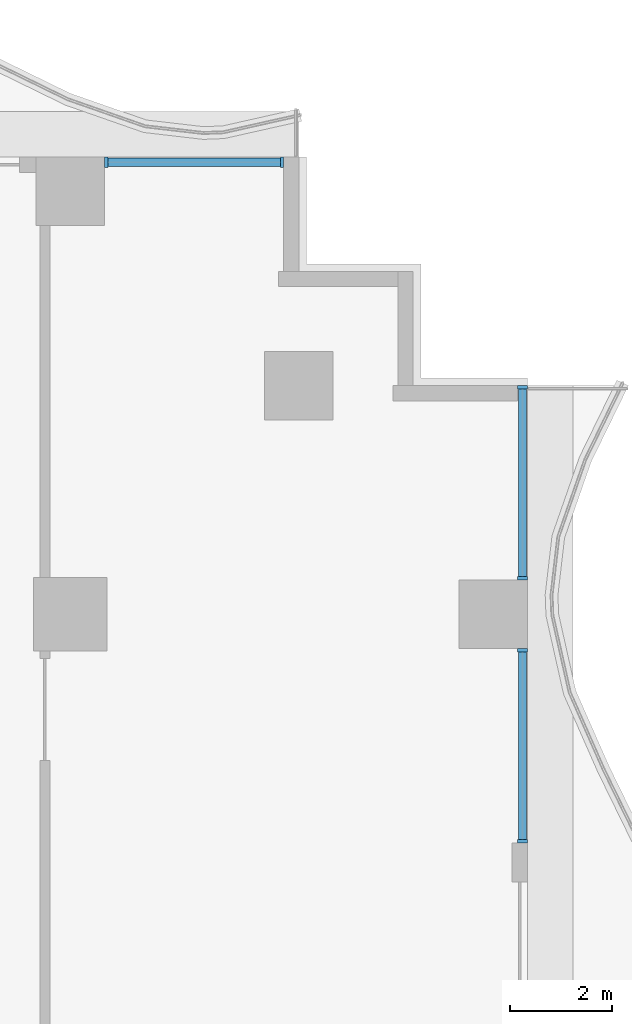
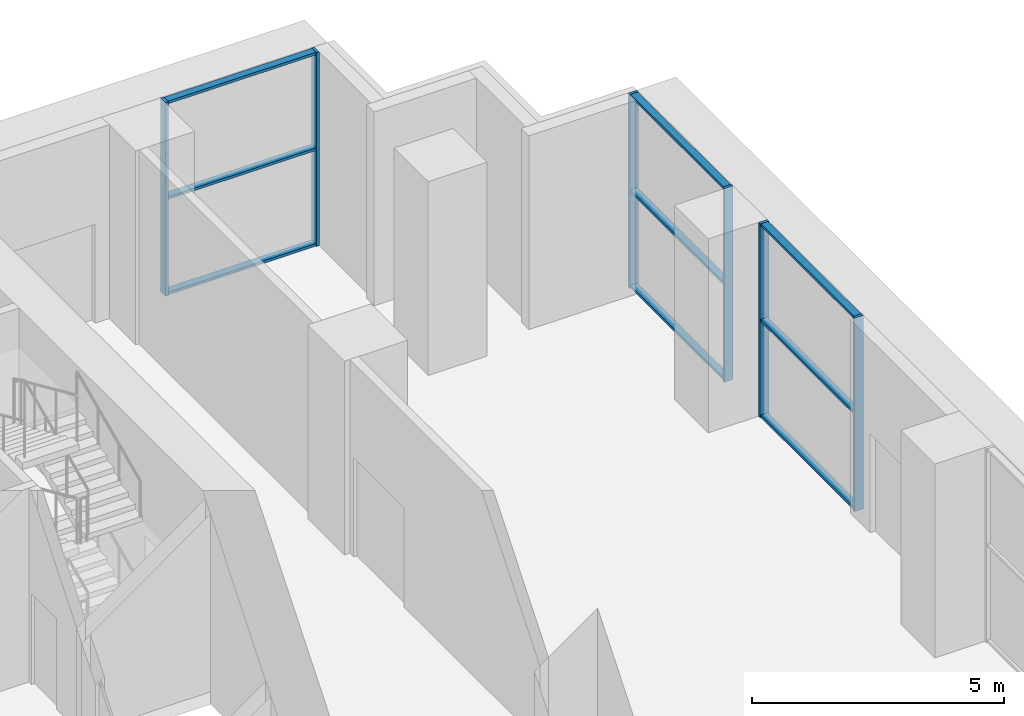
# One storey, part 5 of 18: 15 members, 3 elements without a shape of their own.
"""IFC4 building model written with IfcOpenShell, lengths in metres."""

from ifc_helpers import new_model, si_unit, direction, frame, origin, origin_2d, place, context, subcontext, project, spatial, rectangle, extrude, material, material_profile, profile_set, type_object, element, aggregate, save


model = new_model("IFC4")

# Units and contexts
model_context = context("Model", 3, precision=1e-05, world=origin(), true_north=direction((0.0, 1.0)))
body_context = subcontext(model_context, "Body", "Model", "MODEL_VIEW")
ifc_project = project(units=[si_unit("LENGTHUNIT", "METRE"), si_unit("AREAUNIT", "SQUARE_METRE"), si_unit("VOLUMEUNIT", "CUBIC_METRE"), si_unit("PLANEANGLEUNIT", "RADIAN"), si_unit("MASSUNIT", "GRAM", prefix="KILO")], contexts=[model_context])

# Site, building, storey
site_placement = place(None, origin())
site = spatial("IfcSite", under=ifc_project, at=site_placement, CompositionType="ELEMENT")
building_placement = place(site_placement, origin())
building = spatial("IfcBuilding", under=site, at=building_placement, Name="Orbiselva Terraces", CompositionType="ELEMENT")
storey_placement = place(building_placement, frame((0.0, 0.0, 64.4)))
storey = spatial("IfcBuildingStorey", under=building, at=storey_placement, Name="L16", CompositionType="ELEMENT", Elevation=64.4)

# Curtain wall, members
ifc_material_1 = material(Name="Clear low-e glazing in aluminium frame", Category="aluminium")
curtain_wall_type = type_object("IfcCurtainWallType", Name="ENV-CW-SKY", PredefinedType="NOTDEFINED", material=ifc_material_1)
curtain_wall_1_placement = place(storey_placement, origin())
curtain_wall_1 = element("IfcCurtainWall", 1, at=curtain_wall_1_placement, inside=storey, type_object=curtain_wall_type, Name="Curtain wall L16 E", PredefinedType="NOTDEFINED")
ifc_material_2 = material(Name="Anodised aluminium", Category="aluminium")
ifc_material_profile_1 = material_profile(ifc_material_2, rectangle(XDim=0.2, YDim=0.065, at=origin_2d()), Name="AL 65x200")
ifc_profile_set_1 = profile_set([ifc_material_profile_1], Name="Anodised aluminium")
member_type_1 = type_object("IfcMemberType", Name="ENV-CW-SKY-MULLION-65x200", PredefinedType="MULLION", material=ifc_profile_set_1)
member_1_placement = place(storey_placement, frame((26.9, 9.0325, 0.0), z_axis=(0.0, 0.0, 1.0), x_axis=(-1.0, 0.0, 0.0)))
member_1 = element("IfcMember", 2, at=member_1_placement, type_object=member_type_1, Name="CW3 mullion 1", PredefinedType="MULLION", context=body_context, shape_type="SweptSolid", body=[
    extrude(rectangle(XDim=0.2, YDim=0.065, at=origin_2d()), origin(), (0.0, 0.0, 1.0), 4.7),
])
member_2_placement = place(storey_placement, frame((26.9, 12.7925, 0.0), z_axis=(0.0, 0.0, 1.0), x_axis=(-1.0, 0.0, 0.0)))
member_2 = element("IfcMember", 3, at=member_2_placement, type_object=member_type_1, Name="CW3 mullion 2", PredefinedType="MULLION", context=body_context, shape_type="SweptSolid", body=[
    extrude(rectangle(XDim=0.2, YDim=0.065, at=origin_2d()), origin(), (0.0, 0.0, 1.0), 4.7),
])

curtain_wall_2_placement = place(storey_placement, origin())
curtain_wall_2 = element("IfcCurtainWall", 4, at=curtain_wall_2_placement, inside=storey, type_object=curtain_wall_type, Name="Curtain wall L16 E", PredefinedType="NOTDEFINED")
member_3_placement = place(storey_placement, frame((26.9, 14.2075, 0.0), z_axis=(0.0, 0.0, 1.0), x_axis=(-1.0, 0.0, 0.0)))
member_3 = element("IfcMember", 5, at=member_3_placement, type_object=member_type_1, Name="CW3 mullion 1", PredefinedType="MULLION", context=body_context, shape_type="SweptSolid", body=[
    extrude(rectangle(XDim=0.2, YDim=0.065, at=origin_2d()), origin(), (0.0, 0.0, 1.0), 4.7),
])
member_4_placement = place(storey_placement, frame((26.9, 17.9675, 0.0), z_axis=(0.0, 0.0, 1.0), x_axis=(-1.0, 0.0, 0.0)))
member_4 = element("IfcMember", 6, at=member_4_placement, type_object=member_type_1, Name="CW3 mullion 2", PredefinedType="MULLION", context=body_context, shape_type="SweptSolid", body=[
    extrude(rectangle(XDim=0.2, YDim=0.065, at=origin_2d()), origin(), (0.0, 0.0, 1.0), 4.7),
])

curtain_wall_3_placement = place(storey_placement, origin())
curtain_wall_3 = element("IfcCurtainWall", 7, at=curtain_wall_3_placement, inside=storey, type_object=curtain_wall_type, Name="Curtain wall L16 NE", PredefinedType="NOTDEFINED")
member_5_placement = place(storey_placement, frame((22.1675, 22.4, 0.0), z_axis=(0.0, 0.0, 1.0), x_axis=(0.0, -1.0, 0.0)))
member_5 = element("IfcMember", 8, at=member_5_placement, type_object=member_type_1, Name="CW3 mullion 1", PredefinedType="MULLION", context=body_context, shape_type="SweptSolid", body=[
    extrude(rectangle(XDim=0.2, YDim=0.065, at=origin_2d()), origin(), (0.0, 0.0, 1.0), 4.7),
])
member_6_placement = place(storey_placement, frame((18.7075, 22.4, 0.0), z_axis=(0.0, 0.0, 1.0), x_axis=(0.0, -1.0, 0.0)))
member_6 = element("IfcMember", 9, at=member_6_placement, type_object=member_type_1, Name="CW3 mullion 2", PredefinedType="MULLION", context=body_context, shape_type="SweptSolid", body=[
    extrude(rectangle(XDim=0.2, YDim=0.065, at=origin_2d()), origin(), (0.0, 0.0, 1.0), 4.7),
])

# Member
ifc_material_profile_2 = material_profile(ifc_material_2, rectangle(XDim=0.16, YDim=0.065, at=origin_2d()), Name="AL 65x160")
ifc_profile_set_2 = profile_set([ifc_material_profile_2], Name="Anodised aluminium")
member_type_2 = type_object("IfcMemberType", Name="ENV-CW-SKY-TRANSOM-65x160", PredefinedType="USERDEFINED", material=ifc_profile_set_2)
member_7_placement = place(storey_placement, frame((26.9, 9.065, 0.0325), z_axis=(0.0, 1.0, 0.0), x_axis=(-1.0, 0.0, 0.0)))
member_7 = element("IfcMember", 10, at=member_7_placement, type_object=member_type_2, Name="CW3 transom 1.1", ObjectType="TRANSOM", PredefinedType="USERDEFINED", context=body_context, shape_type="SweptSolid", body=[
    extrude(rectangle(XDim=0.16, YDim=0.065, at=origin_2d()), origin(), (0.0, 0.0, 1.0), 3.695),
])

member_8_placement = place(storey_placement, frame((26.9, 9.065, 2.35), z_axis=(0.0, 1.0, 0.0), x_axis=(-1.0, 0.0, 0.0)))
member_8 = element("IfcMember", 11, at=member_8_placement, type_object=member_type_2, Name="CW3 transom 1.2", ObjectType="TRANSOM", PredefinedType="USERDEFINED", context=body_context, shape_type="SweptSolid", body=[
    extrude(rectangle(XDim=0.16, YDim=0.065, at=origin_2d()), origin(), (0.0, 0.0, 1.0), 3.695),
])

member_9_placement = place(storey_placement, frame((26.9, 9.065, 4.6675), z_axis=(0.0, 1.0, 0.0), x_axis=(-1.0, 0.0, 0.0)))
member_9 = element("IfcMember", 12, at=member_9_placement, type_object=member_type_2, Name="CW3 transom 1.3", ObjectType="TRANSOM", PredefinedType="USERDEFINED", context=body_context, shape_type="SweptSolid", body=[
    extrude(rectangle(XDim=0.16, YDim=0.065, at=origin_2d()), origin(), (0.0, 0.0, 1.0), 3.695),
])

aggregate(curtain_wall_1, [member_1, member_2, member_7, member_8, member_9])

member_10_placement = place(storey_placement, frame((26.9, 14.24, 0.0325), z_axis=(0.0, 1.0, 0.0), x_axis=(-1.0, 0.0, 0.0)))
member_10 = element("IfcMember", 13, at=member_10_placement, type_object=member_type_2, Name="CW3 transom 1.1", ObjectType="TRANSOM", PredefinedType="USERDEFINED", context=body_context, shape_type="SweptSolid", body=[
    extrude(rectangle(XDim=0.16, YDim=0.065, at=origin_2d()), origin(), (0.0, 0.0, 1.0), 3.695),
])

member_11_placement = place(storey_placement, frame((26.9, 14.24, 2.35), z_axis=(0.0, 1.0, 0.0), x_axis=(-1.0, 0.0, 0.0)))
member_11 = element("IfcMember", 14, at=member_11_placement, type_object=member_type_2, Name="CW3 transom 1.2", ObjectType="TRANSOM", PredefinedType="USERDEFINED", context=body_context, shape_type="SweptSolid", body=[
    extrude(rectangle(XDim=0.16, YDim=0.065, at=origin_2d()), origin(), (0.0, 0.0, 1.0), 3.695),
])

member_12_placement = place(storey_placement, frame((26.9, 14.24, 4.6675), z_axis=(0.0, 1.0, 0.0), x_axis=(-1.0, 0.0, 0.0)))
member_12 = element("IfcMember", 15, at=member_12_placement, type_object=member_type_2, Name="CW3 transom 1.3", ObjectType="TRANSOM", PredefinedType="USERDEFINED", context=body_context, shape_type="SweptSolid", body=[
    extrude(rectangle(XDim=0.16, YDim=0.065, at=origin_2d()), origin(), (0.0, 0.0, 1.0), 3.695),
])

aggregate(curtain_wall_2, [member_3, member_4, member_10, member_11, member_12])

member_13_placement = place(storey_placement, frame((22.135, 22.4, 0.0325), z_axis=(-1.0, 0.0, 0.0), x_axis=(0.0, -1.0, 0.0)))
member_13 = element("IfcMember", 16, at=member_13_placement, type_object=member_type_2, Name="CW3 transom 1.1", ObjectType="TRANSOM", PredefinedType="USERDEFINED", context=body_context, shape_type="SweptSolid", body=[
    extrude(rectangle(XDim=0.16, YDim=0.065, at=origin_2d()), origin(), (0.0, 0.0, 1.0), 3.395),
])

member_14_placement = place(storey_placement, frame((22.135, 22.4, 2.35), z_axis=(-1.0, 0.0, 0.0), x_axis=(0.0, -1.0, 0.0)))
member_14 = element("IfcMember", 17, at=member_14_placement, type_object=member_type_2, Name="CW3 transom 1.2", ObjectType="TRANSOM", PredefinedType="USERDEFINED", context=body_context, shape_type="SweptSolid", body=[
    extrude(rectangle(XDim=0.16, YDim=0.065, at=origin_2d()), origin(), (0.0, 0.0, 1.0), 3.395),
])

member_15_placement = place(storey_placement, frame((22.135, 22.4, 4.6675), z_axis=(-1.0, 0.0, 0.0), x_axis=(0.0, -1.0, 0.0)))
member_15 = element("IfcMember", 18, at=member_15_placement, type_object=member_type_2, Name="CW3 transom 1.3", ObjectType="TRANSOM", PredefinedType="USERDEFINED", context=body_context, shape_type="SweptSolid", body=[
    extrude(rectangle(XDim=0.16, YDim=0.065, at=origin_2d()), origin(), (0.0, 0.0, 1.0), 3.395),
])

aggregate(curtain_wall_3, [member_5, member_6, member_13, member_14, member_15])

save(model, "model.ifc")
